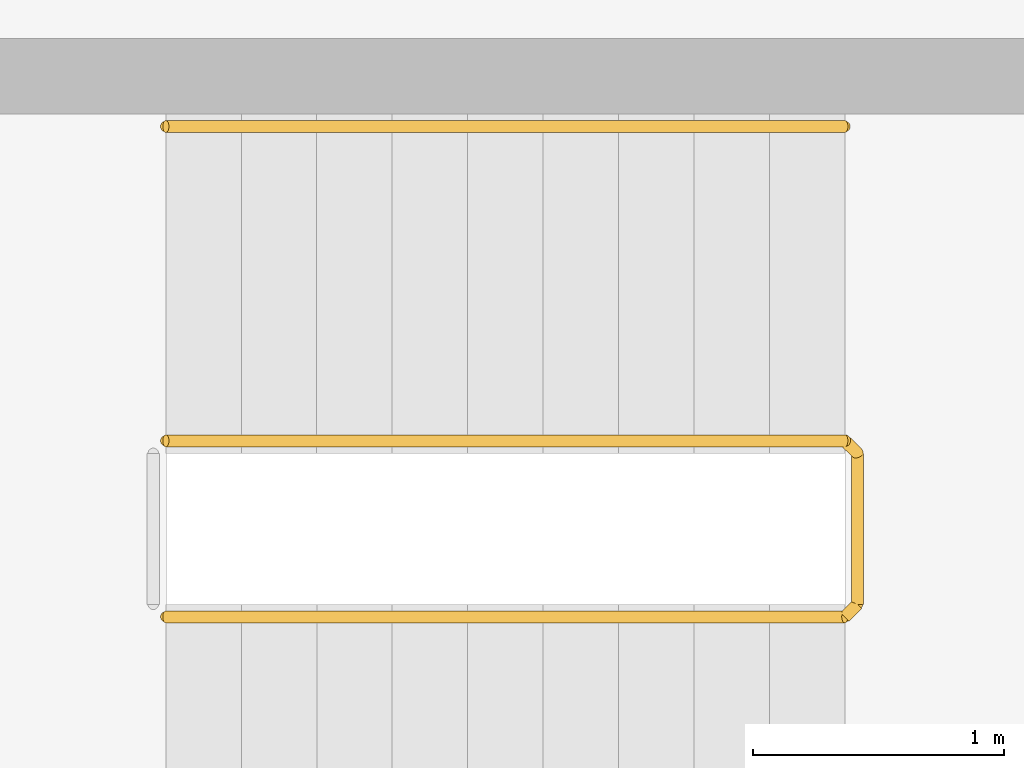
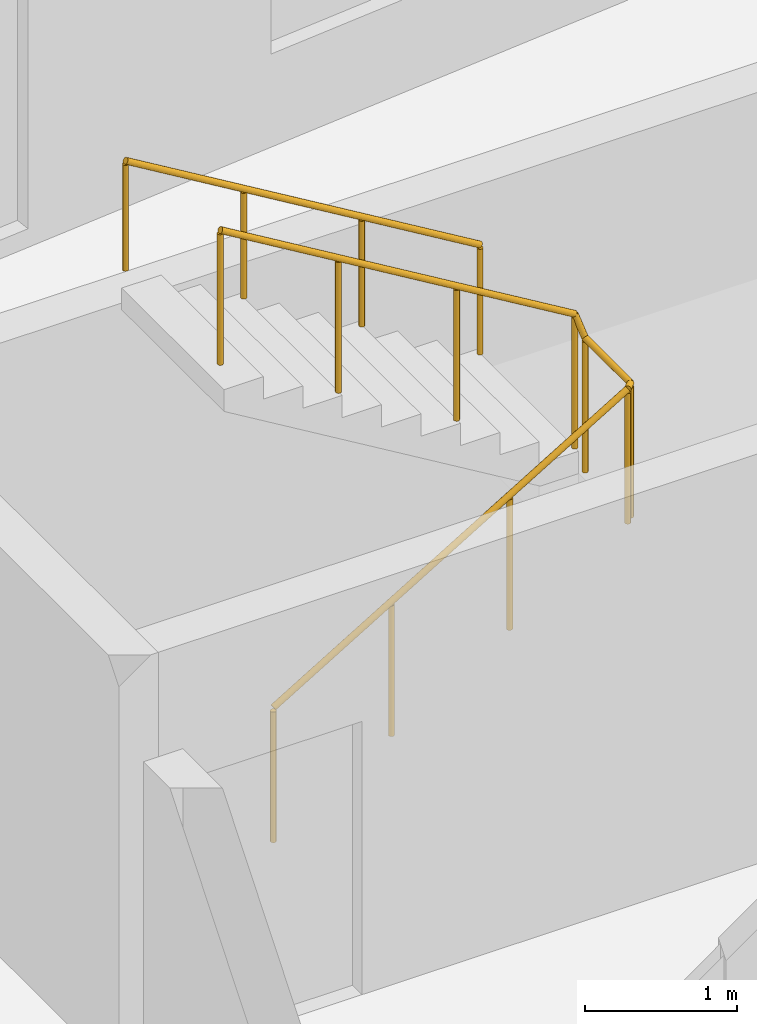
# One storey, part 12 of 12: 2 railings.
"""IFC4 building model written with IfcOpenShell, lengths in metres."""

from ifc_helpers import new_model, si_unit, direction, frame, origin, origin_2d, place, context, subcontext, project, spatial, circle, extrude, material, type_object, element, save


model = new_model("IFC4")

# Units and contexts
model_context = context("Model", 3, precision=1e-05, world=origin(), true_north=direction((0.0, 1.0)))
body_context = subcontext(model_context, "Body", "Model", "MODEL_VIEW")
ifc_project = project(units=[si_unit("LENGTHUNIT", "METRE"), si_unit("AREAUNIT", "SQUARE_METRE"), si_unit("VOLUMEUNIT", "CUBIC_METRE"), si_unit("PLANEANGLEUNIT", "RADIAN"), si_unit("MASSUNIT", "GRAM", prefix="KILO")], contexts=[model_context])

# Site, building, storey
site_placement = place(None, origin())
site = spatial("IfcSite", under=ifc_project, at=site_placement, CompositionType="ELEMENT")
building_placement = place(site_placement, origin())
building = spatial("IfcBuilding", under=site, at=building_placement, Name="Brondeck Convention Tower", CompositionType="ELEMENT")
storey_placement = place(building_placement, frame((0.0, 0.0, 62.699951171875)))
storey = spatial("IfcBuildingStorey", under=building, at=storey_placement, Name="L13", CompositionType="ELEMENT", Elevation=62.699951171875)

# Railings
ifc_material = material(Name="Steel S355", Category="steel")
railing_type_1 = type_object("IfcRailingType", Name="Stair guard 1100", PredefinedType="GUARDRAIL", material=ifc_material)
railing_1_placement = place(storey_placement, frame((37.85009765625, 55.449951171875, 0.179931640625)))
element("IfcRailing", 1, at=railing_1_placement, inside=storey, type_object=railing_type_1, Name="L13 ST-AE stair guard 1", PredefinedType="GUARDRAIL", context=body_context, shape_type="SweptSolid", body=[
    extrude(circle(Radius=0.02392578125, at=origin_2d()), frame((0.0, 0.0, 1.076171875), z_axis=(0.857472400752, 0.0, 0.514529962148), x_axis=(0.0, 1.0, 0.0)), (0.0, 0.0, 1.0), 3.148681640625),
    extrude(circle(Radius=0.02392578125, at=origin_2d()), frame((2.699951171875, 0.0, 2.6962890625), z_axis=(0.707106781187, 0.707106781187, 0.0), x_axis=(-0.707106781187, 0.707106781187, 0.0)), (0.0, 0.0, 1.0), 0.07080078125),
    extrude(circle(Radius=0.02392578125, at=origin_2d()), frame((2.75, 0.050048828125, 2.6962890625), z_axis=(0.0, 1.0, 0.0), x_axis=(-1.0, 0.0, 0.0)), (0.0, 0.0, 1.0), 0.60009765625),
    extrude(circle(Radius=0.02392578125, at=origin_2d()), frame((2.75, 0.650146484375, 2.6962890625), z_axis=(-0.258932105505, 0.257669022063, 0.930892496375), x_axis=(-0.705375805398, -0.708833529934, 0.0)), (0.0, 0.0, 1.0), 0.193359375),
    extrude(circle(Radius=0.02392578125, at=origin_2d()), frame((2.699951171875, 0.699951171875, 2.8759765625), z_axis=(-0.857472400752, 0.0, 0.514529962148), x_axis=(0.0, -1.0, 0.0)), (0.0, 0.0, 1.0), 3.148681640625),
    extrude(circle(Radius=0.02099609375, at=origin_2d()), origin(), (0.0, 0.0, 1.0), 1.052001953125),
    extrude(circle(Radius=0.02099609375, at=origin_2d()), frame((0.89990234375, 0.0, 0.5400390625)), (0.0, 0.0, 1.0), 1.052001953125),
    extrude(circle(Radius=0.02099609375, at=origin_2d()), frame((1.800048828125, 0.0, 1.080078125)), (0.0, 0.0, 1.0), 1.052001953125),
    extrude(circle(Radius=0.02099609375, at=origin_2d()), frame((2.699951171875, 0.0, 1.6201171875)), (0.0, 0.0, 1.0), 1.052001953125),
    extrude(circle(Radius=0.02099609375, at=origin_2d()), frame((2.75, 0.050048828125, 1.6201171875)), (0.0, 0.0, 1.0), 1.052001953125),
    extrude(circle(Radius=0.02099609375, at=origin_2d()), frame((2.75, 0.650146484375, 1.6201171875)), (0.0, 0.0, 1.0), 1.052001953125),
    extrude(circle(Radius=0.02099609375, at=origin_2d()), frame((2.699951171875, 0.699951171875, 1.800048828125)), (0.0, 0.0, 1.0), 1.052001953125),
    extrude(circle(Radius=0.02099609375, at=origin_2d()), frame((1.800048828125, 0.699951171875, 2.340087890625)), (0.0, 0.0, 1.0), 1.052001953125),
    extrude(circle(Radius=0.02099609375, at=origin_2d()), frame((0.89990234375, 0.699951171875, 2.880126953125)), (0.0, 0.0, 1.0), 1.052001953125),
    extrude(circle(Radius=0.02099609375, at=origin_2d()), frame((0.0, 0.699951171875, 3.420166015625)), (0.0, 0.0, 1.0), 1.052001953125),
])
railing_type_2 = type_object("IfcRailingType", Name="Stair handrail", PredefinedType="HANDRAIL", material=ifc_material)
railing_2_placement = place(storey_placement, frame((40.550048828125, 57.39990234375, 1.97998046875)))
element("IfcRailing", 2, at=railing_2_placement, inside=storey, type_object=railing_type_2, Name="L13 ST-AE stair handrail 2", PredefinedType="HANDRAIL", context=body_context, shape_type="SweptSolid", body=[
    extrude(circle(Radius=0.02392578125, at=origin_2d()), frame((0.0, 0.0, 0.8759765625), z_axis=(-0.857472400752, 0.0, 0.514529962148), x_axis=(0.0, -1.0, 0.0)), (0.0, 0.0, 1.0), 3.148681640625),
    extrude(circle(Radius=0.02099609375, at=origin_2d()), origin(), (0.0, 0.0, 1.0), 0.851806640625),
    extrude(circle(Radius=0.02099609375, at=origin_2d()), frame((-0.89990234375, 0.0, 0.5400390625)), (0.0, 0.0, 1.0), 0.851806640625),
    extrude(circle(Radius=0.02099609375, at=origin_2d()), frame((-1.800048828125, 0.0, 1.080078125)), (0.0, 0.0, 1.0), 0.851806640625),
    extrude(circle(Radius=0.02099609375, at=origin_2d()), frame((-2.699951171875, 0.0, 1.6201171875)), (0.0, 0.0, 1.0), 0.851806640625),
])

save(model, "model.ifc")
